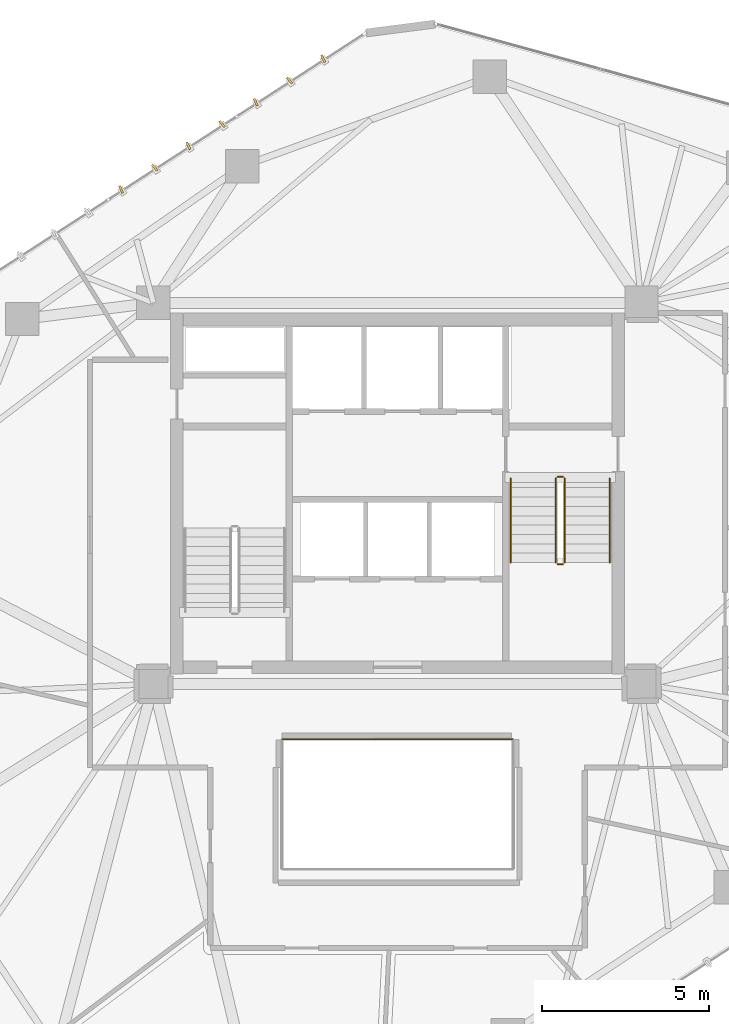
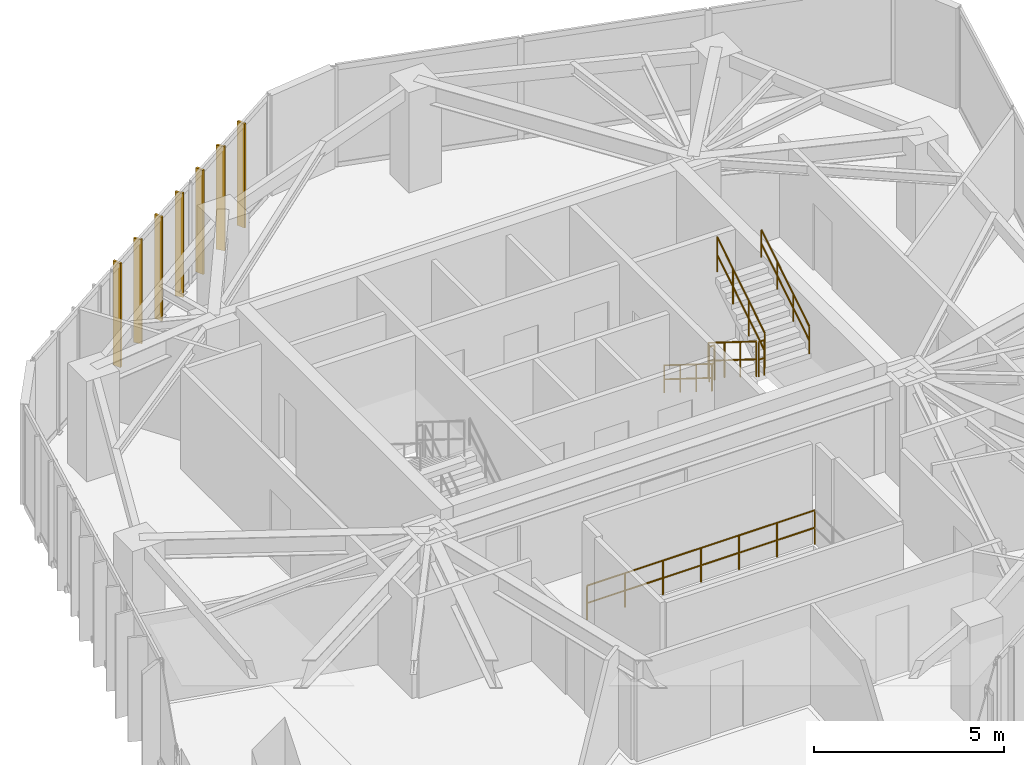
# One storey, part 18 of 18: 7 railings, 7 shading devices.
"""IFC4 building model written with IfcOpenShell, lengths in metres."""

from ifc_helpers import new_model, si_unit, direction, frame, origin, origin_2d, place, context, subcontext, project, spatial, rectangle, circle, extrude, source, transform, mapped, material, layer, layer_set, type_object, type_shapes, element, save


model = new_model("IFC4")

# Units and contexts
model_context = context("Model", 3, precision=1e-05, world=origin(), true_north=direction((0.0, 1.0)))
body_context = subcontext(model_context, "Body", "Model", "MODEL_VIEW")
ifc_project = project(units=[si_unit("LENGTHUNIT", "METRE"), si_unit("AREAUNIT", "SQUARE_METRE"), si_unit("VOLUMEUNIT", "CUBIC_METRE"), si_unit("PLANEANGLEUNIT", "RADIAN"), si_unit("MASSUNIT", "GRAM", prefix="KILO")], contexts=[model_context])

# Site, building, storey
site_placement = place(None, origin())
site = spatial("IfcSite", under=ifc_project, at=site_placement, CompositionType="ELEMENT")
building_placement = place(site_placement, origin())
building = spatial("IfcBuilding", under=site, at=building_placement, Name="Talar Marvaseh", CompositionType="ELEMENT")
storey_placement = place(building_placement, frame((0.0, 0.0, 188.0)))
storey = spatial("IfcBuildingStorey", under=building, at=storey_placement, Name="L49", CompositionType="ELEMENT", Elevation=188.0)

# Railings
ifc_material_1 = material(Name="Stainless Steel Grade 316", Category="steel")
railing_type_1 = type_object("IfcRailingType", Name="Brushed Stainless Wall Pitch Handrail 900", PredefinedType="HANDRAIL", material=ifc_material_1)
railing_1_placement = place(storey_placement, frame((29.389892578125, 31.64990234375, 0.175048828125)))
element("IfcRailing", 1, at=railing_1_placement, inside=storey, type_object=railing_type_1, Name="L49 ST-2 stair handrail 1", PredefinedType="HANDRAIL", context=body_context, shape_type="SweptSolid", body=[
    extrude(circle(Radius=0.02392578125, at=origin_2d()), frame((0.0, 0.0, 0.8759765625), z_axis=(0.0, -0.848007534815, 0.529984170421), x_axis=(1.0, 0.0, 0.0)), (0.0, 0.0, 1.0), 2.9716796875),
    extrude(circle(Radius=0.02392578125, at=origin_2d()), frame((0.0, 0.0, 0.42578125), z_axis=(0.0, -0.848007534815, 0.529984170421), x_axis=(1.0, 0.0, 0.0)), (0.0, 0.0, 1.0), 2.9716796875),
    extrude(circle(Radius=0.02099609375, at=origin_2d()), origin(), (0.0, 0.0, 1.0), 0.851806640625),
    extrude(circle(Radius=0.02099609375, at=origin_2d()), frame((0.0, -0.840087890625, 0.52490234375)), (0.0, 0.0, 1.0), 0.851806640625),
    extrude(circle(Radius=0.02099609375, at=origin_2d()), frame((0.0, -1.679931640625, 1.050048828125)), (0.0, 0.0, 1.0), 0.851806640625),
    extrude(circle(Radius=0.02099609375, at=origin_2d()), frame((0.0, -2.52001953125, 1.574951171875)), (0.0, 0.0, 1.0), 0.851806640625),
])
railing_2_placement = place(storey_placement, frame((32.35009765625, 29.1298828125, 1.925048828125)))
element("IfcRailing", 2, at=railing_2_placement, inside=storey, type_object=railing_type_1, Name="L49 ST-2 stair handrail 2", PredefinedType="HANDRAIL", context=body_context, shape_type="SweptSolid", body=[
    extrude(circle(Radius=0.02392578125, at=origin_2d()), frame((0.0, 0.0, 0.8759765625), z_axis=(0.0, 0.848007534815, 0.529984170421), x_axis=(-1.0, 0.0, 0.0)), (0.0, 0.0, 1.0), 2.9716796875),
    extrude(circle(Radius=0.02392578125, at=origin_2d()), frame((0.0, 0.0, 0.42578125), z_axis=(0.0, 0.848007534815, 0.529984170421), x_axis=(-1.0, 0.0, 0.0)), (0.0, 0.0, 1.0), 2.9716796875),
    extrude(circle(Radius=0.02099609375, at=origin_2d()), origin(), (0.0, 0.0, 1.0), 0.851806640625),
    extrude(circle(Radius=0.02099609375, at=origin_2d()), frame((0.0, 0.840087890625, 0.52490234375)), (0.0, 0.0, 1.0), 0.851806640625),
    extrude(circle(Radius=0.02099609375, at=origin_2d()), frame((0.0, 1.679931640625, 1.050048828125)), (0.0, 0.0, 1.0), 0.851806640625),
    extrude(circle(Radius=0.02099609375, at=origin_2d()), frame((0.0, 2.52001953125, 1.574951171875)), (0.0, 0.0, 1.0), 0.851806640625),
])
ifc_material_2 = material(Name="Tempered Clear Glass", Category="glass")
railing_type_2 = type_object("IfcRailingType", Name="Interior Atrium Edge Balustrade 1120", PredefinedType="BALUSTRADE", material=ifc_material_2)
railing_3_placement = place(storey_placement, frame((29.4697265625, 23.839111328125, 0.0)))
element("IfcRailing", 3, at=railing_3_placement, inside=storey, type_object=railing_type_2, Name="L49 Internal Daylight Atrium Balustrade 3", PredefinedType="BALUSTRADE", context=body_context, shape_type="SweptSolid", body=[
    extrude(circle(Radius=0.02392578125, at=origin_2d()), frame((0.0, 0.0, 1.09619140625), z_axis=(-1.0, 0.0, 0.0), x_axis=(0.0, -1.0, 0.0)), (0.0, 0.0, 1.0), 6.939453125),
    extrude(circle(Radius=0.02392578125, at=origin_2d()), frame((0.0, 0.0, 0.5361328125), z_axis=(-1.0, 0.0, 0.0), x_axis=(0.0, -1.0, 0.0)), (0.0, 0.0, 1.0), 6.939453125),
    extrude(circle(Radius=0.02099609375, at=origin_2d()), origin(), (0.0, 0.0, 1.0), 1.072021484375),
    extrude(circle(Radius=0.02099609375, at=origin_2d()), frame((-1.156494140625, 0.0, 0.0)), (0.0, 0.0, 1.0), 1.072021484375),
    extrude(circle(Radius=0.02099609375, at=origin_2d()), frame((-2.313232421875, 0.0, 0.0)), (0.0, 0.0, 1.0), 1.072021484375),
    extrude(circle(Radius=0.02099609375, at=origin_2d()), frame((-3.4697265625, 0.0, 0.0)), (0.0, 0.0, 1.0), 1.072021484375),
    extrude(circle(Radius=0.02099609375, at=origin_2d()), frame((-4.626220703125, 0.0, 0.0)), (0.0, 0.0, 1.0), 1.072021484375),
    extrude(circle(Radius=0.02099609375, at=origin_2d()), frame((-5.782958984375, 0.0, 0.0)), (0.0, 0.0, 1.0), 1.072021484375),
    extrude(circle(Radius=0.02099609375, at=origin_2d()), frame((-6.939453125, 0.0, 0.0)), (0.0, 0.0, 1.0), 1.072021484375),
])
railing_type_3 = type_object("IfcRailingType", Name="Painted Steel Core Stair Well Guardrail 1150", PredefinedType="GUARDRAIL", material=ifc_material_1)
railing_4_placement = place(storey_placement, frame((30.739990234375, 31.64990234375, 0.175048828125)))
element("IfcRailing", 4, at=railing_4_placement, inside=storey, type_object=railing_type_3, Name="L49 ST-2 stair guard 1", PredefinedType="GUARDRAIL", context=body_context, shape_type="SweptSolid", body=[
    extrude(circle(Radius=0.02392578125, at=origin_2d()), frame((0.0, 0.0, 1.1259765625), z_axis=(0.0, -0.848007534815, 0.529984170421), x_axis=(1.0, 0.0, 0.0)), (0.0, 0.0, 1.0), 2.9716796875),
    extrude(circle(Radius=0.02392578125, at=origin_2d()), frame((0.0, 0.0, 0.55078125), z_axis=(0.0, -0.848007534815, 0.529984170421), x_axis=(1.0, 0.0, 0.0)), (0.0, 0.0, 1.0), 2.9716796875),
    extrude(circle(Radius=0.02099609375, at=origin_2d()), origin(), (0.0, 0.0, 1.0), 1.101806640625),
    extrude(circle(Radius=0.02099609375, at=origin_2d()), frame((0.0, -0.840087890625, 0.52490234375)), (0.0, 0.0, 1.0), 1.101806640625),
    extrude(circle(Radius=0.02099609375, at=origin_2d()), frame((0.0, -1.679931640625, 1.050048828125)), (0.0, 0.0, 1.0), 1.101806640625),
    extrude(circle(Radius=0.02099609375, at=origin_2d()), frame((0.0, -2.52001953125, 1.574951171875)), (0.0, 0.0, 1.0), 1.101806640625),
])
railing_5_placement = place(storey_placement, frame((30.7900390625, 29.080078125, 1.75)))
element("IfcRailing", 5, at=railing_5_placement, inside=storey, type_object=railing_type_3, Name="L49 ST-2 stair guard 2", PredefinedType="GUARDRAIL", context=body_context, shape_type="SweptSolid", body=[
    extrude(circle(Radius=0.02392578125, at=origin_2d()), frame((0.0, 0.0, 1.1259765625), z_axis=(1.0, 0.0, 0.0), x_axis=(0.0, 1.0, 0.0)), (0.0, 0.0, 1.0), 0.159912109375),
    extrude(circle(Radius=0.02392578125, at=origin_2d()), frame((0.0, 0.0, 0.55078125), z_axis=(1.0, 0.0, 0.0), x_axis=(0.0, 1.0, 0.0)), (0.0, 0.0, 1.0), 0.159912109375),
    extrude(circle(Radius=0.02099609375, at=origin_2d()), origin(), (0.0, 0.0, 1.0), 1.101806640625),
    extrude(circle(Radius=0.02099609375, at=origin_2d()), frame((0.159912109375, 0.0, 0.0)), (0.0, 0.0, 1.0), 1.101806640625),
])
railing_6_placement = place(storey_placement, frame((31.0, 29.1298828125, 1.925048828125)))
element("IfcRailing", 6, at=railing_6_placement, inside=storey, type_object=railing_type_3, Name="L49 ST-2 stair guard 3", PredefinedType="GUARDRAIL", context=body_context, shape_type="SweptSolid", body=[
    extrude(circle(Radius=0.02392578125, at=origin_2d()), frame((0.0, 0.0, 1.1259765625), z_axis=(0.0, 0.848007534815, 0.529984170421), x_axis=(-1.0, 0.0, 0.0)), (0.0, 0.0, 1.0), 2.9716796875),
    extrude(circle(Radius=0.02392578125, at=origin_2d()), frame((0.0, 0.0, 0.55078125), z_axis=(0.0, 0.848007534815, 0.529984170421), x_axis=(-1.0, 0.0, 0.0)), (0.0, 0.0, 1.0), 2.9716796875),
    extrude(circle(Radius=0.02099609375, at=origin_2d()), origin(), (0.0, 0.0, 1.0), 1.101806640625),
    extrude(circle(Radius=0.02099609375, at=origin_2d()), frame((0.0, 0.840087890625, 0.52490234375)), (0.0, 0.0, 1.0), 1.101806640625),
    extrude(circle(Radius=0.02099609375, at=origin_2d()), frame((0.0, 1.679931640625, 1.050048828125)), (0.0, 0.0, 1.0), 1.101806640625),
    extrude(circle(Radius=0.02099609375, at=origin_2d()), frame((0.0, 2.52001953125, 1.574951171875)), (0.0, 0.0, 1.0), 1.101806640625),
])
railing_7_placement = place(storey_placement, frame((30.7900390625, 31.699951171875, 0.0)))
element("IfcRailing", 7, at=railing_7_placement, inside=storey, type_object=railing_type_3, Name="L49 ST-2 stair guard 4", PredefinedType="GUARDRAIL", context=body_context, shape_type="SweptSolid", body=[
    extrude(circle(Radius=0.02392578125, at=origin_2d()), frame((0.0, 0.0, 1.1259765625), z_axis=(1.0, 0.0, 0.0), x_axis=(0.0, 1.0, 0.0)), (0.0, 0.0, 1.0), 0.159912109375),
    extrude(circle(Radius=0.02392578125, at=origin_2d()), frame((0.0, 0.0, 0.55078125), z_axis=(1.0, 0.0, 0.0), x_axis=(0.0, 1.0, 0.0)), (0.0, 0.0, 1.0), 0.159912109375),
    extrude(circle(Radius=0.02099609375, at=origin_2d()), origin(), (0.0, 0.0, 1.0), 1.101806640625),
    extrude(circle(Radius=0.02099609375, at=origin_2d()), frame((0.159912109375, 0.0, 0.0)), (0.0, 0.0, 1.0), 1.101806640625),
])

# Shading devices
ifc_material_3 = material(Name="Anodised Champagne Bronze Aluminium", Category="aluminium")
ifc_layer = layer(ifc_material_3, 0.06494140625)
ifc_layer_set = layer_set([ifc_layer], Name="Anodised Champagne Bronze Aluminium")
shading_device_type = type_object("IfcShadingDeviceType", Name="Sawtooth Champagne Bronze Vertical Fin 240", PredefinedType="USERDEFINED", material=ifc_layer_set)
shared_shape = source(origin(), body_context, "Body", "SweptSolid", [
    extrude(rectangle(XDim=0.239990234375, YDim=0.06494140625, at=origin_2d()), origin(), (0.0, 0.0, 1.0), 3.35009765625),
])
type_shapes(shading_device_type, [shared_shape])
for number, where, z_axis, x_axis, name in (
    (8, (17.732421875, 40.291015625, -0.1201171875), (0.0, 0.0, 1.0), (-0.421510682766, 0.90682343613, 0.0), "L49 Sawtooth Vertical Solar Fin"),
    (9, (18.739501953125, 40.943603515625, -0.1201171875), (0.0, 0.0, 1.0), (-0.6551364879, 0.755510544084, 0.0), "L49 Sawtooth Vertical Solar Fin"),
    (10, (19.74658203125, 41.595947265625, -0.1201171875), (0.0, 0.0, 1.0), (-0.421510682766, 0.90682343613, 0.0), "L49 Sawtooth Vertical Solar Fin"),
    (11, (20.75390625, 42.248291015625, -0.1201171875), (0.0, 0.0, 1.0), (-0.6551364879, 0.755510544084, 0.0), "L49 Sawtooth Vertical Solar Fin"),
    (12, (21.760986328125, 42.900634765625, -0.1201171875), (0.0, 0.0, 1.0), (-0.421510682766, 0.90682343613, 0.0), "L49 Sawtooth Vertical Solar Fin"),
    (13, (22.768310546875, 43.552978515625, -0.1201171875), (0.0, 0.0, 1.0), (-0.6551364879, 0.755510544084, 0.0), "L49 Sawtooth Vertical Solar Fin"),
    (14, (23.775390625, 44.205322265625, -0.1201171875), (0.0, 0.0, 1.0), (-0.421510682766, 0.90682343613, 0.0), "L49 Sawtooth Vertical Solar Fin"),
):
    element("IfcShadingDevice", number, at=place(storey_placement, frame(where, z_axis=z_axis, x_axis=x_axis)), inside=storey, type_object=shading_device_type, Name=name, ObjectType="FIN", PredefinedType="USERDEFINED", context=body_context, shape_type="MappedRepresentation", body=[
        mapped(shared_shape, transform((0.0, 0.0, 0.0), x_axis=(1.0, 0.0, 0.0), y_axis=(0.0, 1.0, 0.0), z_axis=(0.0, 0.0, 1.0), scale=1.0)),
    ])

save(model, "model.ifc")
